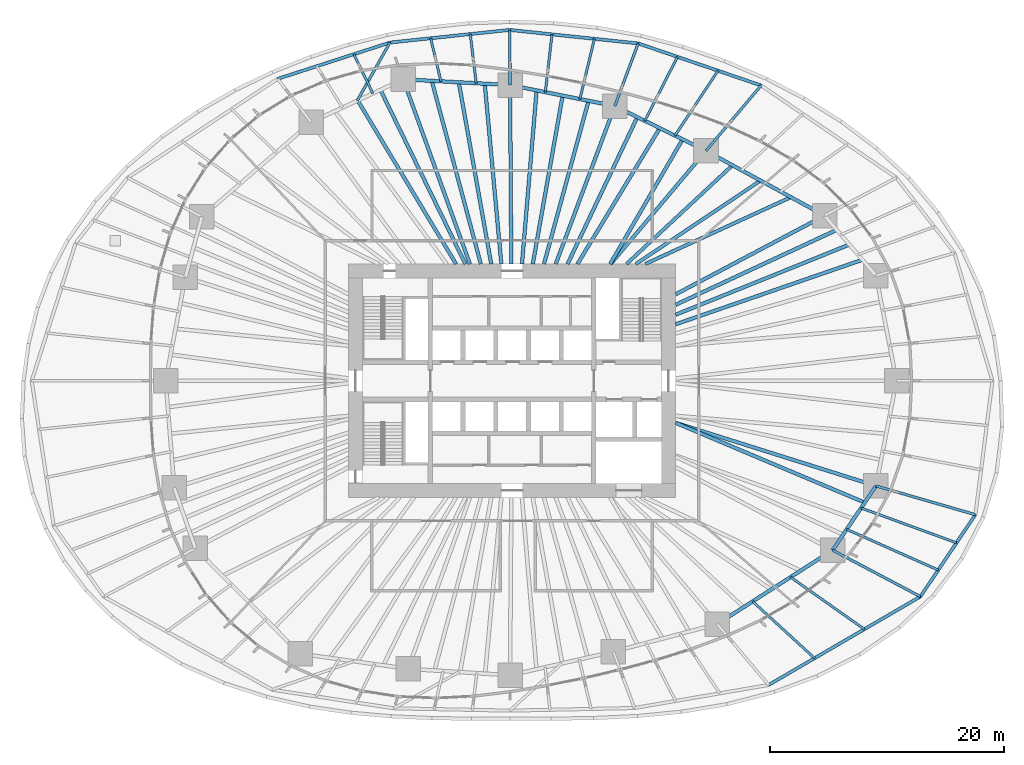
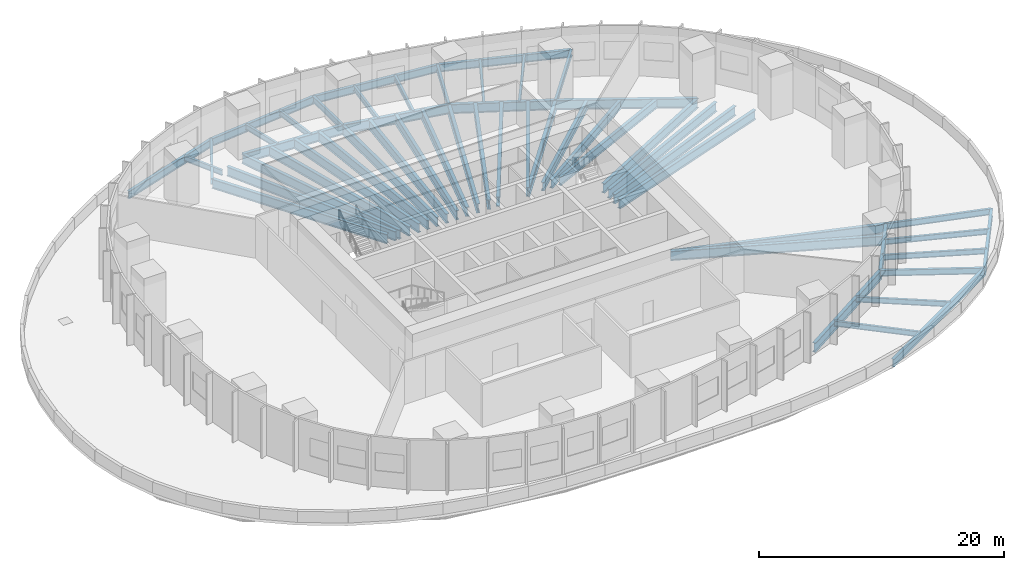
# One storey, part 3 of 11: 53 beams.
"""IFC4 building model written with IfcOpenShell, lengths in metres."""

from ifc_helpers import new_model, si_unit, direction, frame, origin, origin_2d, place, context, subcontext, project, spatial, i_section, extrude, material, material_profile, profile_set, type_object, element, save


model = new_model("IFC4")

# Units and contexts
model_context = context("Model", 3, precision=1e-05, world=origin(), true_north=direction((0.0, 1.0)))
body_context = subcontext(model_context, "Body", "Model", "MODEL_VIEW")
ifc_project = project(units=[si_unit("LENGTHUNIT", "METRE"), si_unit("AREAUNIT", "SQUARE_METRE"), si_unit("VOLUMEUNIT", "CUBIC_METRE"), si_unit("PLANEANGLEUNIT", "RADIAN"), si_unit("MASSUNIT", "GRAM", prefix="KILO")], contexts=[model_context])

# Site, building, storey
site_placement = place(None, origin())
site = spatial("IfcSite", under=ifc_project, at=site_placement, CompositionType="ELEMENT")
building_placement = place(site_placement, origin())
building = spatial("IfcBuilding", under=site, at=building_placement, Name="Ghaith Harvest Tower", CompositionType="ELEMENT")
storey_placement = place(building_placement, frame((0.0, 0.0, 15.0)))
storey = spatial("IfcBuildingStorey", under=building, at=storey_placement, Name="L03", CompositionType="ELEMENT", Elevation=15.0)

# Beams
ifc_material_1 = material(Name="Steel ASTM A992 Grade 50", Category="steel")
ifc_material_profile_1 = material_profile(ifc_material_1, i_section(OverallWidth=0.26806640625, OverallDepth=0.77001953125, WebThickness=0.015625, FlangeThickness=0.025390625, at=origin_2d()), Name="W760X196")
ifc_profile_set_1 = profile_set([ifc_material_profile_1], Name="Steel ASTM A992 Grade 50")
beam_type_1 = type_object("IfcBeamType", Name="E760-196 W760X196", PredefinedType="SPANDREL", material=ifc_profile_set_1)
beam_1_placement = place(storey_placement, frame((21.327880859375, 25.2919921875, -0.68505859375), z_axis=(-0.946196876199, 0.323591519468, 0.0), x_axis=(-0.323591519468, -0.946196876199, 0.0)))
element("IfcBeam", 1, at=beam_1_placement, inside=storey, type_object=beam_type_1, Name="Podium edge beam PE04 L03", PredefinedType="SPANDREL", context=body_context, shape_type="SweptSolid", body=[
    extrude(i_section(OverallWidth=0.26806640625, OverallDepth=0.77001953125, WebThickness=0.015625, FlangeThickness=0.025390625, at=origin_2d()), origin(), (0.0, 0.0, 1.0), 11.12548828125),
])
beam_2_placement = place(storey_placement, frame((10.801025390625, 28.89208984375, -0.68505859375), z_axis=(-0.994521034138, 0.104536656999, 0.0), x_axis=(-0.104536656999, -0.994521034138, 0.0)))
element("IfcBeam", 2, at=beam_2_placement, inside=storey, type_object=beam_type_1, Name="Podium edge beam PE05 L03", PredefinedType="SPANDREL", context=body_context, shape_type="SweptSolid", body=[
    extrude(i_section(OverallWidth=0.26806640625, OverallDepth=0.77001953125, WebThickness=0.015625, FlangeThickness=0.025390625, at=origin_2d()), origin(), (0.0, 0.0, 1.0), 11.067626953125),
])
beam_3_placement = place(storey_placement, frame((-0.2060546875, 30.049072265625, -0.68505859375), z_axis=(-0.994480518853, -0.10492138782, 0.0), x_axis=(0.10492138782, -0.994480518853, 0.0)))
element("IfcBeam", 3, at=beam_3_placement, inside=storey, type_object=beam_type_1, Name="Podium edge beam PE06 L03", PredefinedType="SPANDREL", context=body_context, shape_type="SweptSolid", body=[
    extrude(i_section(OverallWidth=0.26806640625, OverallDepth=0.77001953125, WebThickness=0.015625, FlangeThickness=0.025390625, at=origin_2d()), origin(), (0.0, 0.0, 1.0), 10.312744140625),
])
beam_4_placement = place(storey_placement, frame((-10.4619140625, 28.967041015625, -0.68505859375), z_axis=(-0.951538911148, -0.307528373603, 0.0), x_axis=(0.307528373603, -0.951538911148, 0.0)))
element("IfcBeam", 4, at=beam_4_placement, inside=storey, type_object=beam_type_1, Name="Podium edge beam PE07 L03", PredefinedType="SPANDREL", context=body_context, shape_type="SweptSolid", body=[
    extrude(i_section(OverallWidth=0.26806640625, OverallDepth=0.77001953125, WebThickness=0.015625, FlangeThickness=0.025390625, at=origin_2d()), origin(), (0.0, 0.0, 1.0), 10.110107421875),
])
beam_5_placement = place(storey_placement, frame((21.968994140625, -26.052001953125, -0.68505859375), z_axis=(0.864235316994, 0.503087782459, 0.0), x_axis=(-0.503087782459, 0.864235316994, 0.0)))
element("IfcBeam", 5, at=beam_5_placement, inside=storey, type_object=beam_type_1, Name="Podium edge beam PE18 L03", PredefinedType="SPANDREL", context=body_context, shape_type="SweptSolid", body=[
    extrude(i_section(OverallWidth=0.26806640625, OverallDepth=0.77001953125, WebThickness=0.015625, FlangeThickness=0.025390625, at=origin_2d()), origin(), (0.0, 0.0, 1.0), 15.043212890625),
])
beam_6_placement = place(storey_placement, frame((34.969970703125, -18.48388671875, -0.68505859375), z_axis=(0.557510714814, 0.830169743406, 0.0), x_axis=(-0.830169743406, 0.557510714814, 0.0)))
element("IfcBeam", 6, at=beam_6_placement, inside=storey, type_object=beam_type_1, Name="Podium edge beam PE19 L03", PredefinedType="SPANDREL", context=body_context, shape_type="SweptSolid", body=[
    extrude(i_section(OverallWidth=0.26806640625, OverallDepth=0.77001953125, WebThickness=0.015625, FlangeThickness=0.025390625, at=origin_2d()), origin(), (0.0, 0.0, 1.0), 8.449951171875),
])
ifc_material_2 = material(Name="Steel ASTM A992 Grade 50", Category="steel")
ifc_material_profile_2 = material_profile(ifc_material_2, i_section(OverallWidth=0.306884765625, OverallDepth=0.94189453125, WebThickness=0.022216796875, FlangeThickness=0.039794921875, at=origin_2d()), Name="W920X345")
ifc_profile_set_2 = profile_set([ifc_material_profile_2], Name="Steel ASTM A992 Grade 50")
beam_type_2 = type_object("IfcBeamType", Name="E920-345 W920X345", PredefinedType="SPANDREL", material=ifc_profile_set_2)
beam_7_placement = place(storey_placement, frame((26.763916015625, 14.14697265625, -0.77099609375), z_axis=(-0.877588218279, 0.479415184509, 0.0), x_axis=(-0.479415184509, -0.877588218279, 0.0)))
element("IfcBeam", 7, at=beam_7_placement, inside=storey, type_object=beam_type_2, Name="Edge beam E03 L03", PredefinedType="SPANDREL", context=body_context, shape_type="SweptSolid", body=[
    extrude(i_section(OverallWidth=0.306884765625, OverallDepth=0.94189453125, WebThickness=0.022216796875, FlangeThickness=0.039794921875, at=origin_2d()), origin(), (0.0, 0.0, 1.0), 11.57275390625),
])
beam_8_placement = place(storey_placement, frame((16.60791015625, 19.695068359375, -0.77099609375), z_axis=(-0.897823733825, 0.440355019252, 0.0), x_axis=(-0.440355019252, -0.897823733825, 0.0)))
element("IfcBeam", 8, at=beam_8_placement, inside=storey, type_object=beam_type_2, Name="Edge beam E04 L03", PredefinedType="SPANDREL", context=body_context, shape_type="SweptSolid", body=[
    extrude(i_section(OverallWidth=0.306884765625, OverallDepth=0.94189453125, WebThickness=0.022216796875, FlangeThickness=0.039794921875, at=origin_2d()), origin(), (0.0, 0.0, 1.0), 8.7021484375),
])
beam_9_placement = place(storey_placement, frame((8.794921875, 23.527099609375, -0.77099609375), z_axis=(-0.980450082464, 0.196767974517, 0.0), x_axis=(-0.196767974517, -0.980450082464, 0.0)))
element("IfcBeam", 9, at=beam_9_placement, inside=storey, type_object=beam_type_2, Name="Edge beam E05 L03", PredefinedType="SPANDREL", context=body_context, shape_type="SweptSolid", body=[
    extrude(i_section(OverallWidth=0.306884765625, OverallDepth=0.94189453125, WebThickness=0.022216796875, FlangeThickness=0.039794921875, at=origin_2d()), origin(), (0.0, 0.0, 1.0), 9.146728515625),
])
beam_10_placement = place(storey_placement, frame((-0.173095703125, 25.326904296875, -0.77099609375), z_axis=(-0.998545840532, 0.053909223293, 0.0), x_axis=(-0.053909223293, -0.998545840532, 0.0)))
element("IfcBeam", 10, at=beam_10_placement, inside=storey, type_object=beam_type_2, Name="Edge beam E06 L03", PredefinedType="SPANDREL", context=body_context, shape_type="SweptSolid", body=[
    extrude(i_section(OverallWidth=0.306884765625, OverallDepth=0.94189453125, WebThickness=0.022216796875, FlangeThickness=0.039794921875, at=origin_2d()), origin(), (0.0, 0.0, 1.0), 9.166259765625),
])
beam_11_placement = place(storey_placement, frame((17.572021484375, -20.8369140625, -0.77099609375), z_axis=(0.842014649705, 0.539454659524, 0.0), x_axis=(-0.539454659524, 0.842014649705, 0.0)))
element("IfcBeam", 11, at=beam_11_placement, inside=storey, type_object=beam_type_2, Name="Edge beam E18 L03", PredefinedType="SPANDREL", context=body_context, shape_type="SweptSolid", body=[
    extrude(i_section(OverallWidth=0.306884765625, OverallDepth=0.94189453125, WebThickness=0.022216796875, FlangeThickness=0.039794921875, at=origin_2d()), origin(), (0.0, 0.0, 1.0), 11.730224609375),
])
beam_12_placement = place(storey_placement, frame((27.448974609375, -14.509033203125, -0.77099609375), z_axis=(0.559874470017, 0.828577442261, 0.0), x_axis=(-0.828577442261, 0.559874470017, 0.0)))
element("IfcBeam", 12, at=beam_12_placement, inside=storey, type_object=beam_type_2, Name="Edge beam E19 L03", PredefinedType="SPANDREL", context=body_context, shape_type="SweptSolid", body=[
    extrude(i_section(OverallWidth=0.306884765625, OverallDepth=0.94189453125, WebThickness=0.022216796875, FlangeThickness=0.039794921875, at=origin_2d()), origin(), (0.0, 0.0, 1.0), 6.63916015625),
])
ifc_material_3 = material(Name="Steel ASTM A992 Grade 50", Category="steel")
ifc_material_profile_3 = material_profile(ifc_material_3, i_section(OverallWidth=0.22802734375, OverallDepth=0.60302734375, WebThickness=0.010498046875, FlangeThickness=0.014892578125, at=origin_2d()), Name="W610X101")
ifc_profile_set_3 = profile_set([ifc_material_profile_3], Name="Steel ASTM A992 Grade 50")
beam_type_3 = type_object("IfcBeamType", Name="G610-101 W610X101", PredefinedType="BEAM", material=ifc_profile_set_3)
beam_13_placement = place(storey_placement, frame((16.60791015625, 19.695068359375, -0.6015625), z_axis=(0.644676739739, 0.764455297084, 0.0), x_axis=(-0.764455297084, 0.644676739739, 0.0)))
element("IfcBeam", 13, at=beam_13_placement, inside=storey, type_object=beam_type_3, Name="Podium radial beam PR04 L03", PredefinedType="BEAM", context=body_context, shape_type="SweptSolid", body=[
    extrude(i_section(OverallWidth=0.22802734375, OverallDepth=0.60302734375, WebThickness=0.010498046875, FlangeThickness=0.014892578125, at=origin_2d()), origin(), (0.0, 0.0, 1.0), 7.321533203125),
])
beam_14_placement = place(storey_placement, frame((8.794921875, 23.527099609375, -0.6015625), z_axis=(0.350240445637, 0.936659826319, 0.0), x_axis=(-0.936659826319, 0.350240445637, 0.0)))
element("IfcBeam", 14, at=beam_14_placement, inside=storey, type_object=beam_type_3, Name="Podium radial beam PR05 L03", PredefinedType="BEAM", context=body_context, shape_type="SweptSolid", body=[
    extrude(i_section(OverallWidth=0.22802734375, OverallDepth=0.60302734375, WebThickness=0.010498046875, FlangeThickness=0.014892578125, at=origin_2d()), origin(), (0.0, 0.0, 1.0), 5.727783203125),
])
beam_15_placement = place(storey_placement, frame((-0.173095703125, 25.326904296875, -0.6015625), z_axis=(-0.00697945982, 0.999975643274, 0.0), x_axis=(-0.999975643274, -0.00697945982, 0.0)))
element("IfcBeam", 15, at=beam_15_placement, inside=storey, type_object=beam_type_3, Name="Podium radial beam PR06 L03", PredefinedType="BEAM", context=body_context, shape_type="SweptSolid", body=[
    extrude(i_section(OverallWidth=0.22802734375, OverallDepth=0.60302734375, WebThickness=0.010498046875, FlangeThickness=0.014892578125, at=origin_2d()), origin(), (0.0, 0.0, 1.0), 4.72216796875),
])
beam_16_placement = place(storey_placement, frame((-13.263916015625, 23.985595703125, -0.6015625), z_axis=(0.490253127348, 0.871580100235, 0.0), x_axis=(-0.871580100235, 0.490253127348, 0.0)))
element("IfcBeam", 16, at=beam_16_placement, inside=storey, type_object=beam_type_3, Name="Podium radial beam PR07 L03", PredefinedType="BEAM", context=body_context, shape_type="SweptSolid", body=[
    extrude(i_section(OverallWidth=0.22802734375, OverallDepth=0.60302734375, WebThickness=0.010498046875, FlangeThickness=0.014892578125, at=origin_2d()), origin(), (0.0, 0.0, 1.0), 5.71533203125),
])
beam_17_placement = place(storey_placement, frame((27.448974609375, -14.509033203125, -0.6015625), z_axis=(0.884120685754, -0.46725861471, 0.0), x_axis=(0.46725861471, 0.884120685754, 0.0)))
element("IfcBeam", 17, at=beam_17_placement, inside=storey, type_object=beam_type_3, Name="Podium radial beam PR19 L03", PredefinedType="BEAM", context=body_context, shape_type="SweptSolid", body=[
    extrude(i_section(OverallWidth=0.22802734375, OverallDepth=0.60302734375, WebThickness=0.010498046875, FlangeThickness=0.014892578125, at=origin_2d()), origin(), (0.0, 0.0, 1.0), 8.5068359375),
])
beam_18_placement = place(storey_placement, frame((31.166015625, -9.008056640625, -0.6015625), z_axis=(0.960681697446, -0.277652077594, 0.0), x_axis=(0.277652077594, 0.960681697446, 0.0)))
element("IfcBeam", 18, at=beam_18_placement, inside=storey, type_object=beam_type_3, Name="Podium radial beam PR20 L03", PredefinedType="BEAM", context=body_context, shape_type="SweptSolid", body=[
    extrude(i_section(OverallWidth=0.22802734375, OverallDepth=0.60302734375, WebThickness=0.010498046875, FlangeThickness=0.014892578125, at=origin_2d()), origin(), (0.0, 0.0, 1.0), 8.86328125),
])
ifc_material_4 = material(Name="Steel ASTM A992 Grade 50", Category="steel")
ifc_material_profile_4 = material_profile(ifc_material_4, i_section(OverallWidth=0.306884765625, OverallDepth=0.94189453125, WebThickness=0.022216796875, FlangeThickness=0.039794921875, at=origin_2d()), Name="W920X345")
ifc_profile_set_4 = profile_set([ifc_material_profile_4], Name="Steel ASTM A992 Grade 50")
beam_type_4 = type_object("IfcBeamType", Name="G920-345 W920X345", PredefinedType="BEAM", material=ifc_profile_set_4)
beam_19_placement = place(storey_placement, frame((14.0, 7.39990234375, -0.77099609375), z_axis=(0.884082663971, 0.467330550324, 0.0), x_axis=(-0.467330550324, 0.884082663971, 0.0)))
element("IfcBeam", 19, at=beam_19_placement, inside=storey, type_object=beam_type_4, Name="Radial girder G03 L03", PredefinedType="BEAM", context=body_context, shape_type="SweptSolid", body=[
    extrude(i_section(OverallWidth=0.306884765625, OverallDepth=0.94189453125, WebThickness=0.022216796875, FlangeThickness=0.039794921875, at=origin_2d()), origin(), (0.0, 0.0, 1.0), 14.4375),
])
beam_20_placement = place(storey_placement, frame((8.4326171875, 10.0, -0.77099609375), z_axis=(0.644644245772, 0.764482698557, 0.0), x_axis=(-0.764482698557, 0.644644245772, 0.0)))
element("IfcBeam", 20, at=beam_20_placement, inside=storey, type_object=beam_type_4, Name="Radial girder G04 L03", PredefinedType="BEAM", context=body_context, shape_type="SweptSolid", body=[
    extrude(i_section(OverallWidth=0.306884765625, OverallDepth=0.94189453125, WebThickness=0.022216796875, FlangeThickness=0.039794921875, at=origin_2d()), origin(), (0.0, 0.0, 1.0), 12.681884765625),
])
beam_21_placement = place(storey_placement, frame((3.73828125, 10.0, -0.77099609375), z_axis=(0.350150596156, 0.936693418367, 0.0), x_axis=(-0.936693418367, 0.350150596156, 0.0)))
element("IfcBeam", 21, at=beam_21_placement, inside=storey, type_object=beam_type_4, Name="Radial girder G05 L03", PredefinedType="BEAM", context=body_context, shape_type="SweptSolid", body=[
    extrude(i_section(OverallWidth=0.306884765625, OverallDepth=0.94189453125, WebThickness=0.022216796875, FlangeThickness=0.039794921875, at=origin_2d()), origin(), (0.0, 0.0, 1.0), 14.44140625),
])
beam_22_placement = place(storey_placement, frame((-0.068359375, 10.0, -0.77099609375), z_axis=(-0.006833335732, 0.999976652489, 0.0), x_axis=(-0.999976652489, -0.006833335732, 0.0)))
element("IfcBeam", 22, at=beam_22_placement, inside=storey, type_object=beam_type_4, Name="Radial girder G06 L03", PredefinedType="BEAM", context=body_context, shape_type="SweptSolid", body=[
    extrude(i_section(OverallWidth=0.306884765625, OverallDepth=0.94189453125, WebThickness=0.022216796875, FlangeThickness=0.039794921875, at=origin_2d()), origin(), (0.0, 0.0, 1.0), 15.3271484375),
])
beam_23_placement = place(storey_placement, frame((-3.61181640625, 10.0, -0.77099609375), z_axis=(-0.339694751271, 0.940535738799, 0.0), x_axis=(-0.940535738799, -0.339694751271, 0.0)))
element("IfcBeam", 23, at=beam_23_placement, inside=storey, type_object=beam_type_4, Name="Radial girder G07 L03", PredefinedType="BEAM", context=body_context, shape_type="SweptSolid", body=[
    extrude(i_section(OverallWidth=0.306884765625, OverallDepth=0.94189453125, WebThickness=0.022216796875, FlangeThickness=0.039794921875, at=origin_2d()), origin(), (0.0, 0.0, 1.0), 16.8212890625),
])
beam_24_placement = place(storey_placement, frame((14.0, -3.60009765625, -0.77099609375), z_axis=(0.953788071692, -0.300480139607, 0.0), x_axis=(0.300480139607, 0.953788071692, 0.0)))
element("IfcBeam", 24, at=beam_24_placement, inside=storey, type_object=beam_type_4, Name="Radial girder G20 L03", PredefinedType="BEAM", context=body_context, shape_type="SweptSolid", body=[
    extrude(i_section(OverallWidth=0.306884765625, OverallDepth=0.94189453125, WebThickness=0.022216796875, FlangeThickness=0.039794921875, at=origin_2d()), origin(), (0.0, 0.0, 1.0), 17.997802734375),
])
ifc_material_5 = material(Name="Steel ASTM A992 Grade 50", Category="steel")
ifc_material_profile_5 = material_profile(ifc_material_5, i_section(OverallWidth=0.208984375, OverallDepth=0.532958984375, WebThickness=0.01025390625, FlangeThickness=0.015625, at=origin_2d()), Name="W530X92")
ifc_profile_set_5 = profile_set([ifc_material_profile_5], Name="Steel ASTM A992 Grade 50")
beam_type_5 = type_object("IfcBeamType", Name="J530-92 W530X92", PredefinedType="JOIST", material=ifc_profile_set_5)
beam_25_placement = place(storey_placement, frame((13.947998046875, 20.99951171875, -0.56640625), z_axis=(0.553279971475, 0.832995362031, 0.0), x_axis=(-0.832995362031, 0.553279971475, 0.0)))
element("IfcBeam", 25, at=beam_25_placement, inside=storey, type_object=beam_type_5, Name="Podium joist PJ04.1 L03", PredefinedType="JOIST", context=body_context, shape_type="SweptSolid", body=[
    extrude(i_section(OverallWidth=0.208984375, OverallDepth=0.532958984375, WebThickness=0.01025390625, FlangeThickness=0.015625, at=origin_2d()), origin(), (0.0, 0.0, 1.0), 6.668212890625),
])
beam_26_placement = place(storey_placement, frame((11.366943359375, 22.265625, -0.56640625), z_axis=(0.45469406772, 0.89064768836, 0.0), x_axis=(-0.89064768836, 0.45469406772, 0.0)))
element("IfcBeam", 26, at=beam_26_placement, inside=storey, type_object=beam_type_5, Name="Podium joist PJ04.2 L03", PredefinedType="JOIST", context=body_context, shape_type="SweptSolid", body=[
    extrude(i_section(OverallWidth=0.208984375, OverallDepth=0.532958984375, WebThickness=0.01025390625, FlangeThickness=0.015625, at=origin_2d()), origin(), (0.0, 0.0, 1.0), 6.14892578125),
])
beam_27_placement = place(storey_placement, frame((5.8076171875, 24.126708984375, -0.56640625), z_axis=(0.234018407734, 0.972232166122, 0.0), x_axis=(-0.972232166122, 0.234018407734, 0.0)))
element("IfcBeam", 27, at=beam_27_placement, inside=storey, type_object=beam_type_5, Name="Podium joist PJ05.1 L03", PredefinedType="JOIST", context=body_context, shape_type="SweptSolid", body=[
    extrude(i_section(OverallWidth=0.208984375, OverallDepth=0.532958984375, WebThickness=0.01025390625, FlangeThickness=0.015625, at=origin_2d()), origin(), (0.0, 0.0, 1.0), 5.30712890625),
])
beam_28_placement = place(storey_placement, frame((2.84765625, 24.720703125, -0.56640625), z_axis=(0.114417568625, 0.99343274558, 0.0), x_axis=(-0.99343274558, 0.114417568625, 0.0)))
element("IfcBeam", 28, at=beam_28_placement, inside=storey, type_object=beam_type_5, Name="Podium joist PJ05.2 L03", PredefinedType="JOIST", context=body_context, shape_type="SweptSolid", body=[
    extrude(i_section(OverallWidth=0.208984375, OverallDepth=0.532958984375, WebThickness=0.01025390625, FlangeThickness=0.015625, at=origin_2d()), origin(), (0.0, 0.0, 1.0), 4.980224609375),
])
beam_29_placement = place(storey_placement, frame((-3.0751953125, 25.483642578125, -0.56640625), z_axis=(-0.119837775303, 0.99279348689, 0.0), x_axis=(-0.99279348689, -0.119837775303, 0.0)))
element("IfcBeam", 29, at=beam_29_placement, inside=storey, type_object=beam_type_5, Name="Podium joist PJ06.1 L03", PredefinedType="JOIST", context=body_context, shape_type="SweptSolid", body=[
    extrude(i_section(OverallWidth=0.208984375, OverallDepth=0.532958984375, WebThickness=0.01025390625, FlangeThickness=0.015625, at=origin_2d()), origin(), (0.0, 0.0, 1.0), 4.239501953125),
])
beam_30_placement = place(storey_placement, frame((-6.095703125, 25.646728515625, -0.56640625), z_axis=(-0.231246156391, 0.972895274505, 0.0), x_axis=(-0.972895274505, -0.231246156391, 0.0)))
element("IfcBeam", 30, at=beam_30_placement, inside=storey, type_object=beam_type_5, Name="Podium joist PJ06.2 L03", PredefinedType="JOIST", context=body_context, shape_type="SweptSolid", body=[
    extrude(i_section(OverallWidth=0.208984375, OverallDepth=0.532958984375, WebThickness=0.01025390625, FlangeThickness=0.015625, at=origin_2d()), origin(), (0.0, 0.0, 1.0), 3.791259765625),
])
beam_31_placement = place(storey_placement, frame((-11.923828125, 24.610107421875, -0.56640625), z_axis=(-0.436005446991, 0.899944026145, 0.0), x_axis=(-0.899944026145, -0.436005446991, 0.0)))
element("IfcBeam", 31, at=beam_31_placement, inside=storey, type_object=beam_type_5, Name="Podium joist PJ07.1 L03", PredefinedType="JOIST", context=body_context, shape_type="SweptSolid", body=[
    extrude(i_section(OverallWidth=0.208984375, OverallDepth=0.532958984375, WebThickness=0.01025390625, FlangeThickness=0.015625, at=origin_2d()), origin(), (0.0, 0.0, 1.0), 3.732177734375),
])
beam_32_placement = place(storey_placement, frame((20.601806640625, -18.895751953125, -0.56640625), z_axis=(0.736961201282, -0.675935047031, 0.0), x_axis=(0.675935047031, 0.736961201282, 0.0)))
element("IfcBeam", 32, at=beam_32_placement, inside=storey, type_object=beam_type_5, Name="Podium joist PJ18.1 L03", PredefinedType="JOIST", context=body_context, shape_type="SweptSolid", body=[
    extrude(i_section(OverallWidth=0.208984375, OverallDepth=0.532958984375, WebThickness=0.01025390625, FlangeThickness=0.015625, at=origin_2d()), origin(), (0.0, 0.0, 1.0), 7.197021484375),
])
beam_33_placement = place(storey_placement, frame((23.84619140625, -16.8173828125, -0.56640625), z_axis=(0.817218702852, -0.576327677375, 0.0), x_axis=(0.576327677375, 0.817218702852, 0.0)))
element("IfcBeam", 33, at=beam_33_placement, inside=storey, type_object=beam_type_5, Name="Podium joist PJ18.2 L03", PredefinedType="JOIST", context=body_context, shape_type="SweptSolid", body=[
    extrude(i_section(OverallWidth=0.208984375, OverallDepth=0.532958984375, WebThickness=0.01025390625, FlangeThickness=0.015625, at=origin_2d()), origin(), (0.0, 0.0, 1.0), 7.739013671875),
])
beam_34_placement = place(storey_placement, frame((28.654052734375, -12.7255859375, -0.56640625), z_axis=(0.913928815615, -0.405874512612, 0.0), x_axis=(0.405874512612, 0.913928815615, 0.0)))
element("IfcBeam", 34, at=beam_34_placement, inside=storey, type_object=beam_type_5, Name="Podium joist PJ19.1 L03", PredefinedType="JOIST", context=body_context, shape_type="SweptSolid", body=[
    extrude(i_section(OverallWidth=0.208984375, OverallDepth=0.532958984375, WebThickness=0.01025390625, FlangeThickness=0.015625, at=origin_2d()), origin(), (0.0, 0.0, 1.0), 8.58251953125),
])
beam_35_placement = place(storey_placement, frame((29.888671875, -10.8984375, -0.56640625), z_axis=(0.939491552624, -0.342572069129, 0.0), x_axis=(0.342572069129, 0.939491552624, 0.0)))
element("IfcBeam", 35, at=beam_35_placement, inside=storey, type_object=beam_type_5, Name="Podium joist PJ19.2 L03", PredefinedType="JOIST", context=body_context, shape_type="SweptSolid", body=[
    extrude(i_section(OverallWidth=0.208984375, OverallDepth=0.532958984375, WebThickness=0.01025390625, FlangeThickness=0.015625, at=origin_2d()), origin(), (0.0, 0.0, 1.0), 8.7001953125),
])
ifc_material_6 = material(Name="Steel ASTM A992 Grade 50", Category="steel")
ifc_material_profile_6 = material_profile(ifc_material_6, i_section(OverallWidth=0.2939453125, OverallDepth=0.85107421875, WebThickness=0.01611328125, FlangeThickness=0.02685546875, at=origin_2d()), Name="W840X226")
ifc_profile_set_6 = profile_set([ifc_material_profile_6], Name="Steel ASTM A992 Grade 50")
beam_type_6 = type_object("IfcBeamType", Name="J840-226 W840X226", PredefinedType="JOIST", material=ifc_profile_set_6)
beam_36_placement = place(storey_placement, frame((11.39990234375, 10.0, -0.7255859375), z_axis=(0.909014022454, 0.416765529983, 0.0), x_axis=(-0.416765529983, 0.909014022454, 0.0)))
element("IfcBeam", 36, at=beam_36_placement, inside=storey, type_object=beam_type_6, Name="Joist J03.1 L03", PredefinedType="JOIST", context=body_context, shape_type="SweptSolid", body=[
    extrude(i_section(OverallWidth=0.2939453125, OverallDepth=0.85107421875, WebThickness=0.01611328125, FlangeThickness=0.02685546875, at=origin_2d()), origin(), (0.0, 0.0, 1.0), 13.72998046875),
])
beam_37_placement = place(storey_placement, frame((10.60009765625, 10.0, -0.7255859375), z_axis=(0.831116486766, 0.556098359489, 0.0), x_axis=(-0.556098359489, 0.831116486766, 0.0)))
element("IfcBeam", 37, at=beam_37_placement, inside=storey, type_object=beam_type_6, Name="Joist J03.2 L03", PredefinedType="JOIST", context=body_context, shape_type="SweptSolid", body=[
    extrude(i_section(OverallWidth=0.2939453125, OverallDepth=0.85107421875, WebThickness=0.01611328125, FlangeThickness=0.02685546875, at=origin_2d()), origin(), (0.0, 0.0, 1.0), 12.84716796875),
])
beam_38_placement = place(storey_placement, frame((9.800048828125, 10.0, -0.7255859375), z_axis=(0.731538123562, 0.681800538116, 0.0), x_axis=(-0.681800538116, 0.731538123562, 0.0)))
element("IfcBeam", 38, at=beam_38_placement, inside=storey, type_object=beam_type_6, Name="Joist J03.3 L03", PredefinedType="JOIST", context=body_context, shape_type="SweptSolid", body=[
    extrude(i_section(OverallWidth=0.2939453125, OverallDepth=0.85107421875, WebThickness=0.01611328125, FlangeThickness=0.02685546875, at=origin_2d()), origin(), (0.0, 0.0, 1.0), 12.404052734375),
])
ifc_material_7 = material(Name="Steel ASTM A992 Grade 50", Category="steel")
ifc_material_profile_7 = material_profile(ifc_material_7, i_section(OverallWidth=0.31005859375, OverallDepth=0.927001953125, WebThickness=0.019287109375, FlangeThickness=0.031982421875, at=origin_2d()), Name="W920X289")
ifc_profile_set_7 = profile_set([ifc_material_profile_7], Name="Steel ASTM A992 Grade 50")
beam_type_7 = type_object("IfcBeamType", Name="J920-289 W920X289", PredefinedType="JOIST", material=ifc_profile_set_7)
beam_39_placement = place(storey_placement, frame((14.0, 6.506103515625, -0.763427734375), z_axis=(0.906862619792, 0.421426374144, 0.0), x_axis=(-0.421426374144, 0.906862619792, 0.0)))
element("IfcBeam", 39, at=beam_39_placement, inside=storey, type_object=beam_type_7, Name="Joist J02.3 L03", PredefinedType="JOIST", context=body_context, shape_type="SweptSolid", body=[
    extrude(i_section(OverallWidth=0.31005859375, OverallDepth=0.927001953125, WebThickness=0.019287109375, FlangeThickness=0.031982421875, at=origin_2d()), origin(), (0.0, 0.0, 1.0), 15.229736328125),
])
beam_40_placement = place(storey_placement, frame((8.39990234375, 10.0, -0.763427734375), z_axis=(0.50228574324, 0.864701701246, 0.0), x_axis=(-0.864701701246, 0.50228574324, 0.0)))
element("IfcBeam", 40, at=beam_40_placement, inside=storey, type_object=beam_type_7, Name="Joist J04.1 L03", PredefinedType="JOIST", context=body_context, shape_type="SweptSolid", body=[
    extrude(i_section(OverallWidth=0.31005859375, OverallDepth=0.927001953125, WebThickness=0.019287109375, FlangeThickness=0.031982421875, at=origin_2d()), origin(), (0.0, 0.0, 1.0), 12.349365234375),
])
beam_41_placement = place(storey_placement, frame((5.60009765625, 10.0, -0.763427734375), z_axis=(0.518319612023, 0.85518698528, 0.0), x_axis=(-0.85518698528, 0.518319612023, 0.0)))
element("IfcBeam", 41, at=beam_41_placement, inside=storey, type_object=beam_type_7, Name="Joist J04.2 L03", PredefinedType="JOIST", context=body_context, shape_type="SweptSolid", body=[
    extrude(i_section(OverallWidth=0.31005859375, OverallDepth=0.927001953125, WebThickness=0.019287109375, FlangeThickness=0.031982421875, at=origin_2d()), origin(), (0.0, 0.0, 1.0), 13.60546875),
])
beam_42_placement = place(storey_placement, frame((4.75, 10.0, -0.763427734375), z_axis=(0.429059675117, 0.903276145588, 0.0), x_axis=(-0.903276145588, 0.429059675117, 0.0)))
element("IfcBeam", 42, at=beam_42_placement, inside=storey, type_object=beam_type_7, Name="Joist J04.3 L03", PredefinedType="JOIST", context=body_context, shape_type="SweptSolid", body=[
    extrude(i_section(OverallWidth=0.31005859375, OverallDepth=0.927001953125, WebThickness=0.019287109375, FlangeThickness=0.031982421875, at=origin_2d()), origin(), (0.0, 0.0, 1.0), 13.92724609375),
])
beam_43_placement = place(storey_placement, frame((2.73095703125, 10.0, -0.763427734375), z_axis=(0.263455282447, 0.964671609487, 0.0), x_axis=(-0.964671609487, 0.263455282447, 0.0)))
element("IfcBeam", 43, at=beam_43_placement, inside=storey, type_object=beam_type_7, Name="Joist J05.1 L03", PredefinedType="JOIST", context=body_context, shape_type="SweptSolid", body=[
    extrude(i_section(OverallWidth=0.31005859375, OverallDepth=0.927001953125, WebThickness=0.019287109375, FlangeThickness=0.031982421875, at=origin_2d()), origin(), (0.0, 0.0, 1.0), 14.48974609375),
])
beam_44_placement = place(storey_placement, frame((1.772705078125, 10.0, -0.763427734375), z_axis=(0.174552574354, 0.984647855218, 0.0), x_axis=(-0.984647855218, 0.174552574354, 0.0)))
element("IfcBeam", 44, at=beam_44_placement, inside=storey, type_object=beam_type_7, Name="Joist J05.2 L03", PredefinedType="JOIST", context=body_context, shape_type="SweptSolid", body=[
    extrude(i_section(OverallWidth=0.31005859375, OverallDepth=0.927001953125, WebThickness=0.019287109375, FlangeThickness=0.031982421875, at=origin_2d()), origin(), (0.0, 0.0, 1.0), 14.648193359375),
])
beam_45_placement = place(storey_placement, frame((0.844970703125, 10.0, -0.763427734375), z_axis=(0.084219252187, 0.996447247756, 0.0), x_axis=(-0.996447247756, 0.084219252187, 0.0)))
element("IfcBeam", 45, at=beam_45_placement, inside=storey, type_object=beam_type_7, Name="Joist J05.3 L03", PredefinedType="JOIST", context=body_context, shape_type="SweptSolid", body=[
    extrude(i_section(OverallWidth=0.31005859375, OverallDepth=0.927001953125, WebThickness=0.019287109375, FlangeThickness=0.031982421875, at=origin_2d()), origin(), (0.0, 0.0, 1.0), 14.92333984375),
])
beam_46_placement = place(storey_placement, frame((-0.92041015625, 10.0, -0.763427734375), z_axis=(-0.091647013776, 0.995791556936, 0.0), x_axis=(-0.995791556936, -0.091647013776, 0.0)))
element("IfcBeam", 46, at=beam_46_placement, inside=storey, type_object=beam_type_7, Name="Joist J06.1 L03", PredefinedType="JOIST", context=body_context, shape_type="SweptSolid", body=[
    extrude(i_section(OverallWidth=0.31005859375, OverallDepth=0.927001953125, WebThickness=0.019287109375, FlangeThickness=0.031982421875, at=origin_2d()), origin(), (0.0, 0.0, 1.0), 15.50927734375),
])
beam_47_placement = place(storey_placement, frame((-1.785888671875, 10.0, -0.763427734375), z_axis=(-0.175789035136, 0.984427861819, 0.0), x_axis=(-0.984427861819, -0.175789035136, 0.0)))
element("IfcBeam", 47, at=beam_47_placement, inside=storey, type_object=beam_type_7, Name="Joist J06.2 L03", PredefinedType="JOIST", context=body_context, shape_type="SweptSolid", body=[
    extrude(i_section(OverallWidth=0.31005859375, OverallDepth=0.927001953125, WebThickness=0.019287109375, FlangeThickness=0.031982421875, at=origin_2d()), origin(), (0.0, 0.0, 1.0), 15.810302734375),
])
ifc_material_8 = material(Name="Steel ASTM A992 Grade 50", Category="steel")
ifc_material_profile_8 = material_profile(ifc_material_8, i_section(OverallWidth=0.306884765625, OverallDepth=0.94189453125, WebThickness=0.022216796875, FlangeThickness=0.039794921875, at=origin_2d()), Name="W920X345")
ifc_profile_set_8 = profile_set([ifc_material_profile_8], Name="Steel ASTM A992 Grade 50")
beam_type_8 = type_object("IfcBeamType", Name="J920-345 W920X345", PredefinedType="JOIST", material=ifc_profile_set_8)
beam_48_placement = place(storey_placement, frame((14.0, 4.835693359375, -0.77099609375), z_axis=(0.945204767809, 0.326478095607, 0.0), x_axis=(-0.326478095607, 0.945204767809, 0.0)))
element("IfcBeam", 48, at=beam_48_placement, inside=storey, type_object=beam_type_8, Name="Joist J02.1 L03", PredefinedType="JOIST", context=body_context, shape_type="SweptSolid", body=[
    extrude(i_section(OverallWidth=0.306884765625, OverallDepth=0.94189453125, WebThickness=0.022216796875, FlangeThickness=0.039794921875, at=origin_2d()), origin(), (0.0, 0.0, 1.0), 16.932373046875),
])
beam_49_placement = place(storey_placement, frame((14.0, 5.653564453125, -0.77099609375), z_axis=(0.927252192145, 0.374437407536, 0.0), x_axis=(-0.374437407536, 0.927252192145, 0.0)))
element("IfcBeam", 49, at=beam_49_placement, inside=storey, type_object=beam_type_8, Name="Joist J02.2 L03", PredefinedType="JOIST", context=body_context, shape_type="SweptSolid", body=[
    extrude(i_section(OverallWidth=0.306884765625, OverallDepth=0.94189453125, WebThickness=0.022216796875, FlangeThickness=0.039794921875, at=origin_2d()), origin(), (0.0, 0.0, 1.0), 16.057373046875),
])
beam_50_placement = place(storey_placement, frame((-2.677978515625, 10.0, -0.77099609375), z_axis=(-0.258679482451, 0.965963211183, 0.0), x_axis=(-0.965963211183, -0.258679482451, 0.0)))
element("IfcBeam", 50, at=beam_50_placement, inside=storey, type_object=beam_type_8, Name="Joist J06.3 L03", PredefinedType="JOIST", context=body_context, shape_type="SweptSolid", body=[
    extrude(i_section(OverallWidth=0.306884765625, OverallDepth=0.94189453125, WebThickness=0.022216796875, FlangeThickness=0.039794921875, at=origin_2d()), origin(), (0.0, 0.0, 1.0), 16.24169921875),
])
beam_51_placement = place(storey_placement, frame((-4.0, 10.0, -0.77099609375), z_axis=(-0.438505380705, 0.898728563635, 0.0), x_axis=(-0.898728563635, -0.438505380705, 0.0)))
element("IfcBeam", 51, at=beam_51_placement, inside=storey, type_object=beam_type_8, Name="Joist J07.1 L03", PredefinedType="JOIST", context=body_context, shape_type="SweptSolid", body=[
    extrude(i_section(OverallWidth=0.306884765625, OverallDepth=0.94189453125, WebThickness=0.022216796875, FlangeThickness=0.039794921875, at=origin_2d()), origin(), (0.0, 0.0, 1.0), 16.592529296875),
])
beam_52_placement = place(storey_placement, frame((-4.800048828125, 10.0, -0.77099609375), z_axis=(-0.515358894704, 0.85697445099, 0.0), x_axis=(-0.85697445099, -0.515358894704, 0.0)))
element("IfcBeam", 52, at=beam_52_placement, inside=storey, type_object=beam_type_8, Name="Joist J07.2 L03", PredefinedType="JOIST", context=body_context, shape_type="SweptSolid", body=[
    extrude(i_section(OverallWidth=0.306884765625, OverallDepth=0.94189453125, WebThickness=0.022216796875, FlangeThickness=0.039794921875, at=origin_2d()), origin(), (0.0, 0.0, 1.0), 16.34228515625),
])
beam_53_placement = place(storey_placement, frame((14.0, -3.60009765625, -0.77099609375), z_axis=(0.921432978784, -0.388537341333, 0.0), x_axis=(0.388537341333, 0.921432978784, 0.0)))
element("IfcBeam", 53, at=beam_53_placement, inside=storey, type_object=beam_type_8, Name="Joist J19.3 L03", PredefinedType="JOIST", context=body_context, shape_type="SweptSolid", body=[
    extrude(i_section(OverallWidth=0.306884765625, OverallDepth=0.94189453125, WebThickness=0.022216796875, FlangeThickness=0.039794921875, at=origin_2d()), origin(), (0.0, 0.0, 1.0), 17.585205078125),
])

save(model, "model.ifc")
